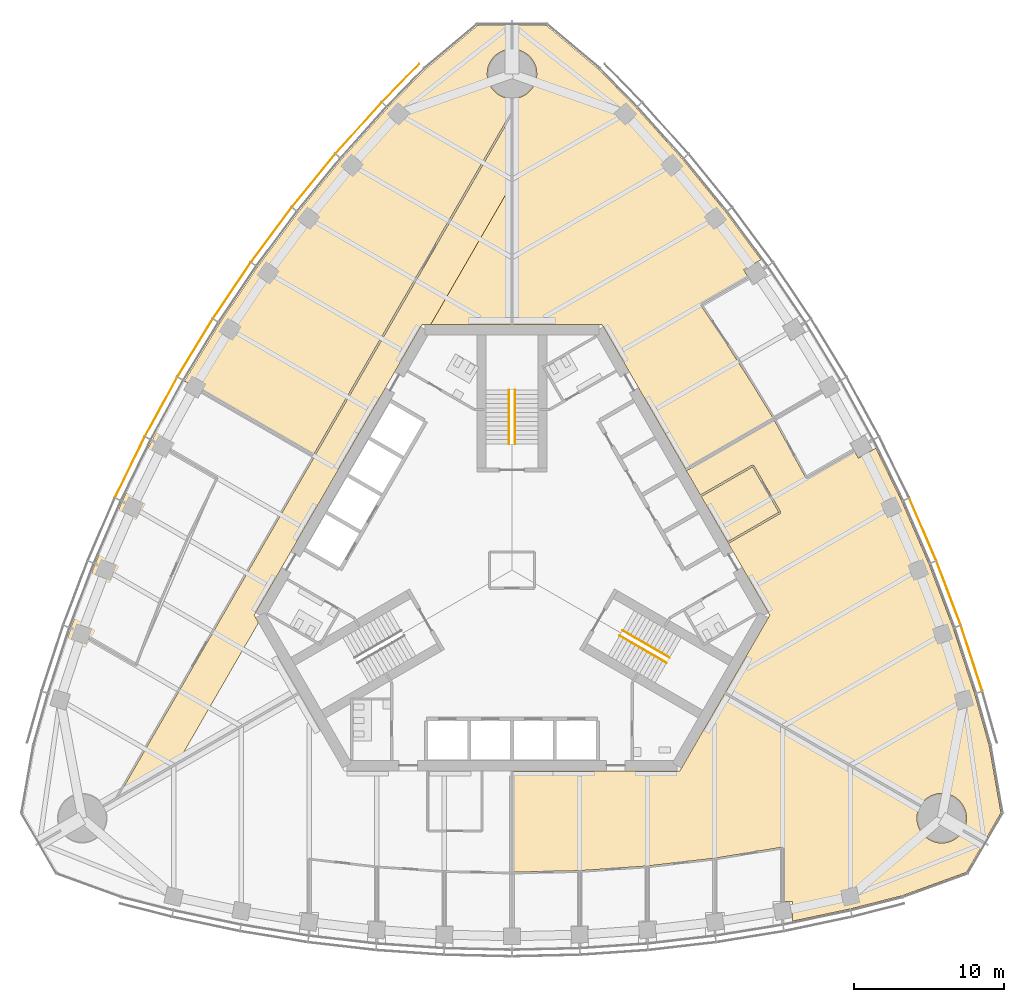
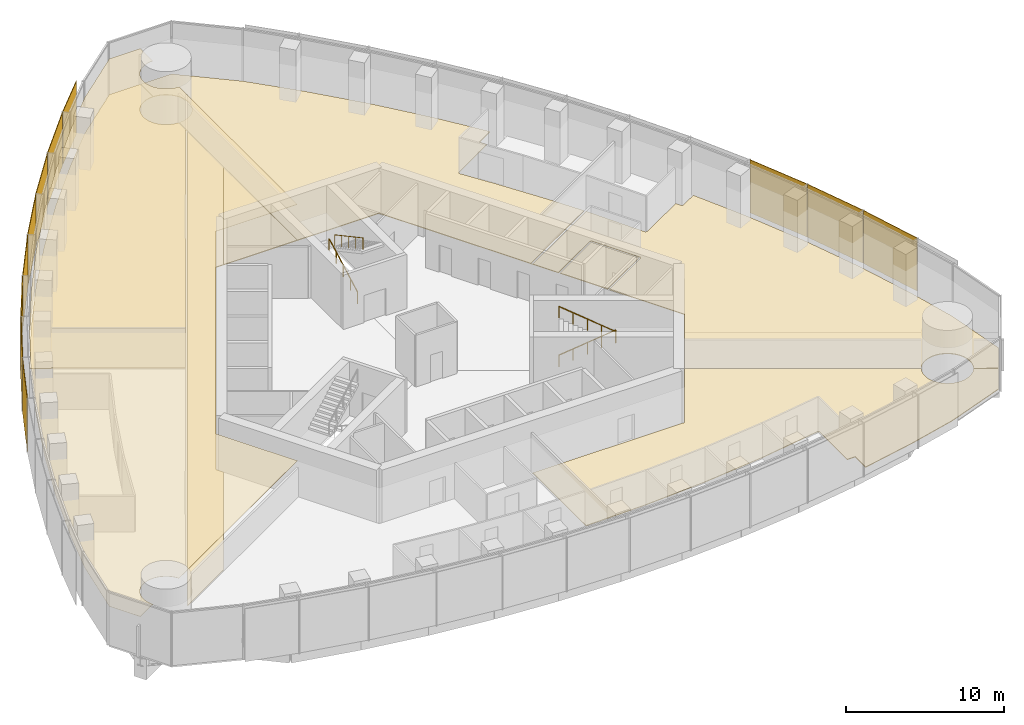
# One storey, part 16 of 19: 11 shading devices, 8 coverings, 4 railings.
"""IFC4 building model written with IfcOpenShell, lengths in metres."""

from ifc_helpers import new_model, si_unit, direction, frame, origin, origin_2d, place, context, subcontext, project, spatial, polyline, rectangle, circle, outline, extrude, material, layer, layer_set, type_object, element, save


model = new_model("IFC4")

# Units and contexts
model_context = context("Model", 3, precision=1e-05, world=origin(), true_north=direction((0.0, 1.0)))
body_context = subcontext(model_context, "Body", "Model", "MODEL_VIEW")
ifc_project = project(units=[si_unit("LENGTHUNIT", "METRE"), si_unit("AREAUNIT", "SQUARE_METRE"), si_unit("VOLUMEUNIT", "CUBIC_METRE"), si_unit("PLANEANGLEUNIT", "RADIAN"), si_unit("MASSUNIT", "GRAM", prefix="KILO")], contexts=[model_context])

# Site, building, storey
site_placement = place(None, origin())
site = spatial("IfcSite", under=ifc_project, at=site_placement, CompositionType="ELEMENT")
building_placement = place(site_placement, origin())
building = spatial("IfcBuilding", under=site, at=building_placement, Name="Trefoil Bronze Tower", CompositionType="ELEMENT")
storey_placement = place(building_placement, frame((0.0, 0.0, 223.300048828125)))
storey = spatial("IfcBuildingStorey", under=building, at=storey_placement, Name="L51", CompositionType="ELEMENT", Elevation=223.300048828125)

# Shading devices
ifc_material_1 = material(Name="Perforated bronze sheet", Category="bronze")
ifc_layer_1 = layer(ifc_material_1, 0.0400390625)
ifc_layer_set_1 = layer_set([ifc_layer_1], Name="Bronze solar screen panel")
shading_device_type = type_object("IfcShadingDeviceType", Name="Bronze solar screen panel", PredefinedType="SHUTTER", material=ifc_layer_set_1)
shading_device_1_placement = place(storey_placement, frame((30.5634765625, -5.86572265625, 0.0498046875), z_axis=(0.0, 0.0, 1.0), x_axis=(-0.310148591821, 0.950688093431, 0.0)))
element("IfcShadingDevice", 1, at=shading_device_1_placement, inside=storey, type_object=shading_device_type, Name="Solar screen CW-A L51 F2 bay 2", PredefinedType="SHUTTER", context=body_context, shape_type="SweptSolid", body=[
    extrude(rectangle(XDim=4.5693359375, YDim=0.0400390625, at=origin_2d()), origin(), (0.0, 0.0, 1.0), 4.10009765625),
])
shading_device_2_placement = place(storey_placement, frame((29.0341796875, -1.52392578125, 0.0498046875), z_axis=(0.0, 0.0, 1.0), x_axis=(-0.354233936517, 0.935156841508, 0.0)))
element("IfcShadingDevice", 2, at=shading_device_2_placement, inside=storey, type_object=shading_device_type, Name="Solar screen CW-A L51 F2 bay 3", PredefinedType="SHUTTER", context=body_context, shape_type="SweptSolid", body=[
    extrude(rectangle(XDim=4.529296875, YDim=0.0400390625, at=origin_2d()), origin(), (0.0, 0.0, 1.0), 4.10009765625),
])
shading_device_3_placement = place(storey_placement, frame((27.317626953125, 2.709716796875, 0.0498046875), z_axis=(0.0, 0.0, 1.0), x_axis=(-0.397220305764, 0.917723285467, 0.0)))
element("IfcShadingDevice", 3, at=shading_device_3_placement, inside=storey, type_object=shading_device_type, Name="Solar screen CW-A L51 F2 bay 4", PredefinedType="SHUTTER", context=body_context, shape_type="SweptSolid", body=[
    extrude(rectangle(XDim=4.5, YDim=0.0400390625, at=origin_2d()), origin(), (0.0, 0.0, 1.0), 4.10009765625),
])
shading_device_4_placement = place(storey_placement, frame((-7.40478515625, 32.40380859375, 0.0498046875), z_axis=(0.0, 0.0, 1.0), x_axis=(-0.698651812425, -0.715461840349, 0.0)))
element("IfcShadingDevice", 4, at=shading_device_4_placement, inside=storey, type_object=shading_device_type, Name="Solar screen CW-A L51 F3 bay 1", PredefinedType="SHUTTER", context=body_context, shape_type="SweptSolid", body=[
    extrude(rectangle(XDim=3.53369140625, YDim=0.0400390625, at=origin_2d()), origin(), (0.0, 0.0, 1.0), 4.10009765625),
])
shading_device_5_placement = place(storey_placement, frame((-10.20166015625, 29.401611328125, 0.0498046875), z_axis=(0.0, 0.0, 1.0), x_axis=(-0.668245744076, -0.743940606181, 0.0)))
element("IfcShadingDevice", 5, at=shading_device_5_placement, inside=storey, type_object=shading_device_type, Name="Solar screen CW-A L51 F3 bay 2", PredefinedType="SHUTTER", context=body_context, shape_type="SweptSolid", body=[
    extrude(rectangle(XDim=4.5693359375, YDim=0.0400390625, at=origin_2d()), origin(), (0.0, 0.0, 1.0), 4.10009765625),
])
shading_device_6_placement = place(storey_placement, frame((-13.197509765625, 25.90625, 0.0498046875), z_axis=(0.0, 0.0, 1.0), x_axis=(-0.63275261301, -0.774354008661, 0.0)))
element("IfcShadingDevice", 6, at=shading_device_6_placement, inside=storey, type_object=shading_device_type, Name="Solar screen CW-A L51 F3 bay 3", PredefinedType="SHUTTER", context=body_context, shape_type="SweptSolid", body=[
    extrude(rectangle(XDim=4.529296875, YDim=0.0400390625, at=origin_2d()), origin(), (0.0, 0.0, 1.0), 4.10009765625),
])
shading_device_7_placement = place(storey_placement, frame((-16.005615234375, 22.302734375, 0.0498046875), z_axis=(0.0, 0.0, 1.0), x_axis=(-0.596161525977, -0.802864518425, 0.0)))
element("IfcShadingDevice", 7, at=shading_device_7_placement, inside=storey, type_object=shading_device_type, Name="Solar screen CW-A L51 F3 bay 4", PredefinedType="SHUTTER", context=body_context, shape_type="SweptSolid", body=[
    extrude(rectangle(XDim=4.5, YDim=0.0400390625, at=origin_2d()), origin(), (0.0, 0.0, 1.0), 4.10009765625),
])
shading_device_8_placement = place(storey_placement, frame((-18.6298828125, 18.59326171875, 0.0498046875), z_axis=(0.0, 0.0, 1.0), x_axis=(-0.558493494706, -0.829508900718, 0.0)))
element("IfcShadingDevice", 8, at=shading_device_8_placement, inside=storey, type_object=shading_device_type, Name="Solar screen CW-A L51 F3 bay 5", PredefinedType="SHUTTER", context=body_context, shape_type="SweptSolid", body=[
    extrude(rectangle(XDim=4.480712890625, YDim=0.0400390625, at=origin_2d()), origin(), (0.0, 0.0, 1.0), 4.10009765625),
])
for number, where, z_axis, x_axis, name in (
    (9, (-21.07275390625, 14.77880859375, 0.0498046875), (0.0, 0.0, 1.0), (-0.519762112739, -0.854311035959, 0.0), "Solar screen CW-A L51 F3 bay 6"),
    (10, (-23.3349609375, 10.860107421875, 0.0498046875), (0.0, 0.0, 1.0), (-0.479974003504, -0.877282711536, 0.0), "Solar screen CW-A L51 F3 bay 7"),
):
    element("IfcShadingDevice", number, at=place(storey_placement, frame(where, z_axis=z_axis, x_axis=x_axis)), inside=storey, type_object=shading_device_type, Name=name, PredefinedType="SHUTTER", context=body_context, shape_type="SweptSolid", body=[
        extrude(rectangle(XDim=4.47119140625, YDim=0.0400390625, at=origin_2d()), origin(), (0.0, 0.0, 1.0), 4.10009765625),
    ])
shading_device_9_placement = place(storey_placement, frame((-25.4169921875, 6.83740234375, 0.0498046875), z_axis=(0.0, 0.0, 1.0), x_axis=(-0.439129033334, -0.898424004623, 0.0)))
element("IfcShadingDevice", 11, at=shading_device_9_placement, inside=storey, type_object=shading_device_type, Name="Solar screen CW-A L51 F3 bay 8", PredefinedType="SHUTTER", context=body_context, shape_type="SweptSolid", body=[
    extrude(rectangle(XDim=4.480712890625, YDim=0.0400390625, at=origin_2d()), origin(), (0.0, 0.0, 1.0), 4.10009765625),
])

# Railings
ifc_material_2 = material(Name="Steel handrail", Category="steel")
railing_type = type_object("IfcRailingType", Name="Handrail 900", PredefinedType="HANDRAIL", material=ifc_material_2)
railing_1_placement = place(storey_placement, frame((7.365966796875, -4.021728515625, 0.161376953125)))
element("IfcRailing", 12, at=railing_1_placement, inside=storey, type_object=railing_type, Name="Handrail ST1 flight 1 L51", PredefinedType="HANDRAIL", context=body_context, shape_type="SweptSolid", body=[
    extrude(circle(Radius=0.02392578125, at=origin_2d()), frame((0.0, 0.0, 0.8759765625), z_axis=(0.76250339821, -0.440245697338, 0.474101564745), x_axis=(0.500012057535, 0.866018442252, 0.0)), (0.0, 0.0, 1.0), 4.088623046875),
    extrude(circle(Radius=0.02099609375, at=origin_2d()), origin(), (0.0, 0.0, 1.0), 0.851806640625),
    extrude(circle(Radius=0.02099609375, at=origin_2d()), frame((0.779296875, -0.449951171875, 0.484619140625)), (0.0, 0.0, 1.0), 0.851806640625),
    extrude(circle(Radius=0.02099609375, at=origin_2d()), frame((1.558837890625, -0.89990234375, 0.96923828125)), (0.0, 0.0, 1.0), 0.851806640625),
    extrude(circle(Radius=0.02099609375, at=origin_2d()), frame((2.33837890625, -1.35009765625, 1.453857421875)), (0.0, 0.0, 1.0), 0.851806640625),
    extrude(circle(Radius=0.02099609375, at=origin_2d()), frame((3.11767578125, -1.800048828125, 1.9384765625)), (0.0, 0.0, 1.0), 0.851806640625),
])
railing_2_placement = place(storey_placement, frame((10.28369140625, -6.168212890625, 2.261474609375)))
element("IfcRailing", 13, at=railing_2_placement, inside=storey, type_object=railing_type, Name="Handrail ST1 flight 2 L51", PredefinedType="HANDRAIL", context=body_context, shape_type="SweptSolid", body=[
    extrude(circle(Radius=0.02392578125, at=origin_2d()), frame((0.0, 0.0, 0.8759765625), z_axis=(-0.76250339821, 0.440245697338, 0.474101564745), x_axis=(-0.500012057535, -0.866018442252, 0.0)), (0.0, 0.0, 1.0), 4.088623046875),
    extrude(circle(Radius=0.02099609375, at=origin_2d()), origin(), (0.0, 0.0, 1.0), 0.851806640625),
    extrude(circle(Radius=0.02099609375, at=origin_2d()), frame((-0.779296875, 0.449951171875, 0.484619140625)), (0.0, 0.0, 1.0), 0.851806640625),
    extrude(circle(Radius=0.02099609375, at=origin_2d()), frame((-1.558837890625, 0.89990234375, 0.96923828125)), (0.0, 0.0, 1.0), 0.851806640625),
    extrude(circle(Radius=0.02099609375, at=origin_2d()), frame((-2.33837890625, 1.35009765625, 1.453857421875)), (0.0, 0.0, 1.0), 0.851806640625),
    extrude(circle(Radius=0.02099609375, at=origin_2d()), frame((-3.11767578125, 1.800048828125, 1.9384765625)), (0.0, 0.0, 1.0), 0.851806640625),
])
railing_3_placement = place(storey_placement, frame((-0.199951171875, 8.389892578125, 0.161376953125)))
element("IfcRailing", 14, at=railing_3_placement, inside=storey, type_object=railing_type, Name="Handrail ST2 flight 1 L51", PredefinedType="HANDRAIL", context=body_context, shape_type="SweptSolid", body=[
    extrude(circle(Radius=0.02392578125, at=origin_2d()), frame((0.0, 0.0, 0.8759765625), z_axis=(0.0, 0.880474934443, 0.474092701714), x_axis=(-1.0, 0.0, 0.0)), (0.0, 0.0, 1.0), 4.0888671875),
    extrude(circle(Radius=0.02099609375, at=origin_2d()), origin(), (0.0, 0.0, 1.0), 0.851806640625),
    extrude(circle(Radius=0.02099609375, at=origin_2d()), frame((0.0, 0.89990234375, 0.484619140625)), (0.0, 0.0, 1.0), 0.851806640625),
    extrude(circle(Radius=0.02099609375, at=origin_2d()), frame((0.0, 1.800048828125, 0.96923828125)), (0.0, 0.0, 1.0), 0.851806640625),
    extrude(circle(Radius=0.02099609375, at=origin_2d()), frame((0.0, 2.7001953125, 1.453857421875)), (0.0, 0.0, 1.0), 0.851806640625),
    extrude(circle(Radius=0.02099609375, at=origin_2d()), frame((0.0, 3.60009765625, 1.9384765625)), (0.0, 0.0, 1.0), 0.851806640625),
])
railing_4_placement = place(storey_placement, frame((0.199951171875, 11.989990234375, 2.261474609375)))
element("IfcRailing", 15, at=railing_4_placement, inside=storey, type_object=railing_type, Name="Handrail ST2 flight 2 L51", PredefinedType="HANDRAIL", context=body_context, shape_type="SweptSolid", body=[
    extrude(circle(Radius=0.02392578125, at=origin_2d()), frame((0.0, 0.0, 0.8759765625), z_axis=(0.0, -0.880474934443, 0.474092701714), x_axis=(1.0, 0.0, 0.0)), (0.0, 0.0, 1.0), 4.0888671875),
    extrude(circle(Radius=0.02099609375, at=origin_2d()), origin(), (0.0, 0.0, 1.0), 0.851806640625),
    extrude(circle(Radius=0.02099609375, at=origin_2d()), frame((0.0, -0.89990234375, 0.484619140625)), (0.0, 0.0, 1.0), 0.851806640625),
    extrude(circle(Radius=0.02099609375, at=origin_2d()), frame((0.0, -1.800048828125, 0.96923828125)), (0.0, 0.0, 1.0), 0.851806640625),
    extrude(circle(Radius=0.02099609375, at=origin_2d()), frame((0.0, -2.7001953125, 1.453857421875)), (0.0, 0.0, 1.0), 0.851806640625),
    extrude(circle(Radius=0.02099609375, at=origin_2d()), frame((0.0, -3.60009765625, 1.9384765625)), (0.0, 0.0, 1.0), 0.851806640625),
])

# Coverings
ifc_material_3 = material(Name="Acoustic ceiling panels", Category="mineral fibre")
ifc_layer_2 = layer(ifc_material_3, 0.02001953125)
ifc_layer_set_2 = layer_set([ifc_layer_2], Name="Office ceiling 20")
covering_type_1 = type_object("IfcCoveringType", Name="Office ceiling 20", PredefinedType="CEILING", material=ifc_layer_set_2)
covering_1_placement = place(storey_placement, frame((0.0, 0.0, 2.89990234375)))
element("IfcCovering", 16, at=covering_1_placement, inside=storey, type_object=covering_type_1, Name="Ceiling L51 Open-plan office F3", PredefinedType="CEILING", context=body_context, shape_type="SweptSolid", body=[
    extrude(outline(polyline([(-30.76318359375, -8.219482421875), (-29.3369140625, -3.846923828125), (-27.7216796875, 0.416748046875), (-25.92236328125, 4.573974609375), (-23.94140625, 8.62646484375), (-21.781005859375, 12.5751953125), (-19.44140625, 16.420654296875), (-16.92236328125, 20.162353515625), (-14.2216796875, 23.79931640625), (-11.3369140625, 27.329833984375), (-8.26318359375, 30.751708984375), (-5.7734375, 33.30126953125), (-2.280029296875, 36.232666015625), (-0.013671875, 36.232666015625), (-0.012939453125, 34.649658203125), (-0.0810546875, 34.64794921875), (-0.16162109375, 34.64208984375), (-0.2421875, 34.632080078125), (-0.322021484375, 34.618408203125), (-0.40087890625, 34.6005859375), (-0.47900390625, 34.5791015625), (-0.555908203125, 34.553466796875), (-0.63134765625, 34.5244140625), (-0.70556640625, 34.49169921875), (-0.77783203125, 34.455078125), (-0.848388671875, 34.415283203125), (-0.916748046875, 34.371826171875), (-0.98291015625, 34.3251953125), (-1.046630859375, 34.275390625), (-1.108154296875, 34.22265625), (-1.166748046875, 34.166748046875), (-1.22265625, 34.108154296875), (-1.275390625, 34.046630859375), (-1.3251953125, 33.98291015625), (-1.371826171875, 33.916748046875), (-1.415283203125, 33.848388671875), (-1.455078125, 33.77783203125), (-1.49169921875, 33.70556640625), (-1.5244140625, 33.63134765625), (-1.553466796875, 33.555908203125), (-1.5791015625, 33.47900390625), (-1.6005859375, 33.40087890625), (-1.618408203125, 33.322021484375), (-1.632080078125, 33.2421875), (-1.64208984375, 33.16162109375), (-1.64794921875, 33.0810546875), (-1.64990234375, 33.0), (-1.64794921875, 32.9189453125), (-1.64208984375, 32.83837890625), (-1.632080078125, 32.7578125), (-1.618408203125, 32.677978515625), (-1.6005859375, 32.59912109375), (-1.5791015625, 32.52099609375), (-1.553466796875, 32.444091796875), (-1.5244140625, 32.36865234375), (-1.49169921875, 32.29443359375), (-1.455078125, 32.22216796875), (-1.415283203125, 32.151611328125), (-1.371826171875, 32.083251953125), (-1.3251953125, 32.01708984375), (-1.275390625, 31.953369140625), (-1.22265625, 31.891845703125), (-1.166748046875, 31.833251953125), (-1.108154296875, 31.77734375), (-1.046630859375, 31.724609375), (-0.98291015625, 31.6748046875), (-0.916748046875, 31.628173828125), (-0.848388671875, 31.584716796875), (-0.77783203125, 31.544921875), (-0.70556640625, 31.50830078125), (-0.63134765625, 31.4755859375), (-0.555908203125, 31.446533203125), (-0.47900390625, 31.4208984375), (-0.40087890625, 31.3994140625), (-0.322021484375, 31.381591796875), (-0.2421875, 31.367919921875), (-0.16162109375, 31.35791015625), (-0.0810546875, 31.35205078125), (-0.01171875, 31.350341796875), (-0.006103515625, 16.35009765625), (-5.9755859375, 16.35009765625), (-17.147216796875, -3.0), (-14.16259765625, -8.169677734375), (-27.156005859375, -15.6650390625), (-27.206787109375, -15.583251953125), (-27.25341796875, -15.51708984375), (-27.303466796875, -15.453369140625), (-27.356201171875, -15.391845703125), (-27.412109375, -15.333251953125), (-27.470703125, -15.27734375), (-27.531982421875, -15.224609375), (-27.595947265625, -15.1748046875), (-27.662109375, -15.128173828125), (-27.730712890625, -15.084716796875), (-27.801025390625, -15.044921875), (-27.873291015625, -15.00830078125), (-27.947509765625, -14.9755859375), (-28.02294921875, -14.946533203125), (-28.099853515625, -14.9208984375), (-28.177978515625, -14.8994140625), (-28.2568359375, -14.881591796875), (-28.336669921875, -14.867919921875), (-28.4169921875, -14.85791015625), (-28.497802734375, -14.85205078125), (-28.578857421875, -14.85009765625), (-28.659912109375, -14.85205078125), (-28.740478515625, -14.85791015625), (-28.82080078125, -14.867919921875), (-28.900634765625, -14.881591796875), (-28.979736328125, -14.8994140625), (-29.057861328125, -14.9208984375), (-29.134765625, -14.946533203125), (-29.210205078125, -14.9755859375), (-29.2841796875, -15.00830078125), (-29.356689453125, -15.044921875), (-29.427001953125, -15.084716796875), (-29.49560546875, -15.128173828125), (-29.561767578125, -15.1748046875), (-29.62548828125, -15.224609375), (-29.68701171875, -15.27734375), (-29.74560546875, -15.333251953125), (-29.801513671875, -15.391845703125), (-29.854248046875, -15.453369140625), (-29.904052734375, -15.51708984375), (-29.95068359375, -15.583251953125), (-29.994140625, -15.651611328125), (-30.033935546875, -15.72216796875), (-30.0703125, -15.79443359375), (-30.103271484375, -15.86865234375), (-30.13232421875, -15.944091796875), (-30.15771484375, -16.02099609375), (-30.179443359375, -16.09912109375), (-30.197021484375, -16.177978515625), (-30.2109375, -16.2578125), (-30.220947265625, -16.33837890625), (-30.226806640625, -16.4189453125), (-30.228759765625, -16.5), (-30.226806640625, -16.5810546875), (-30.220947265625, -16.66162109375), (-30.2109375, -16.7421875), (-30.197021484375, -16.822021484375), (-30.179443359375, -16.90087890625), (-30.15771484375, -16.97900390625), (-30.13232421875, -17.055908203125), (-30.103271484375, -17.13134765625), (-30.0703125, -17.20556640625), (-30.033935546875, -17.27783203125), (-30.013916015625, -17.3134765625), (-31.385009765625, -18.1044921875), (-32.518310546875, -16.1416015625), (-31.7265625, -11.650634765625), (-30.76318359375, -8.219482421875)])), origin(), (0.0, 0.0, 1.0), 0.02001953125),
])
ifc_material_4 = material(Name="Raised access floor panels", Category="steel")
ifc_layer_3 = layer(ifc_material_4, 0.050048828125)
ifc_layer_set_3 = layer_set([ifc_layer_3], Name="Raised access floor 150")
covering_type_2 = type_object("IfcCoveringType", Name="Raised access floor 150", PredefinedType="FLOORING", material=ifc_layer_set_3)
covering_2_placement = place(storey_placement, frame((0.0, 0.0, 0.099853515625)))
element("IfcCovering", 17, at=covering_2_placement, inside=storey, type_object=covering_type_2, Name="Raised floor L51 Open-plan office F1", PredefinedType="FLOORING", context=body_context, shape_type="SweptSolid", body=[
    extrude(outline(polyline([(18.06005859375, -18.48291015625), (18.0, -18.48291015625), (17.990478515625, -18.423583984375), (13.49169921875, -19.156494140625), (8.994384765625, -19.676513671875), (4.497314453125, -19.9873046875), (0.074951171875, -20.0888671875), (0.074951171875, -13.360107421875), (0.0009765625, -13.360107421875), (0.0009765625, -13.35009765625), (11.171630859375, -13.35009765625), (14.156494140625, -8.180419921875), (27.14453125, -15.685546875), (27.123779296875, -15.72216796875), (27.08740234375, -15.79443359375), (27.054443359375, -15.86865234375), (27.025390625, -15.944091796875), (27.0, -16.02099609375), (26.978271484375, -16.09912109375), (26.96044921875, -16.177978515625), (26.94677734375, -16.2578125), (26.936767578125, -16.33837890625), (26.930908203125, -16.4189453125), (26.9287109375, -16.5), (26.930908203125, -16.5810546875), (26.936767578125, -16.66162109375), (26.94677734375, -16.7421875), (26.96044921875, -16.822021484375), (26.978271484375, -16.90087890625), (27.0, -16.97900390625), (27.025390625, -17.055908203125), (27.054443359375, -17.13134765625), (27.08740234375, -17.20556640625), (27.123779296875, -17.27783203125), (27.16357421875, -17.348388671875), (27.206787109375, -17.416748046875), (27.25341796875, -17.48291015625), (27.303466796875, -17.546630859375), (27.356201171875, -17.608154296875), (27.412109375, -17.666748046875), (27.470703125, -17.72265625), (27.531982421875, -17.775390625), (27.595947265625, -17.8251953125), (27.662109375, -17.871826171875), (27.730712890625, -17.915283203125), (27.801025390625, -17.955078125), (27.873291015625, -17.99169921875), (27.947509765625, -18.0244140625), (28.02294921875, -18.053466796875), (28.099853515625, -18.0791015625), (28.177978515625, -18.1005859375), (28.2568359375, -18.118408203125), (28.336669921875, -18.132080078125), (28.4169921875, -18.14208984375), (28.497802734375, -18.14794921875), (28.578857421875, -18.14990234375), (28.659912109375, -18.14794921875), (28.740478515625, -18.14208984375), (28.82080078125, -18.132080078125), (28.900634765625, -18.118408203125), (28.979736328125, -18.1005859375), (29.057861328125, -18.0791015625), (29.134765625, -18.053466796875), (29.210205078125, -18.0244140625), (29.2841796875, -17.99169921875), (29.356689453125, -17.955078125), (29.427001953125, -17.915283203125), (29.49560546875, -17.871826171875), (29.561767578125, -17.8251953125), (29.62548828125, -17.775390625), (29.68701171875, -17.72265625), (29.74560546875, -17.666748046875), (29.801513671875, -17.608154296875), (29.854248046875, -17.546630859375), (29.904052734375, -17.48291015625), (29.95068359375, -17.416748046875), (30.0009765625, -17.336181640625), (31.37158203125, -18.1279296875), (30.23828125, -20.0908203125), (25.952880859375, -21.650634765625), (22.5, -22.531982421875), (18.642822265625, -23.34716796875), (18.642822265625, -22.026123046875), (18.06005859375, -22.026123046875), (18.06005859375, -18.48291015625)])), origin(), (0.0, 0.0, 1.0), 0.050048828125),
])
covering_3_placement = place(storey_placement, frame((0.0, 0.0, 0.099853515625)))
element("IfcCovering", 18, at=covering_3_placement, inside=storey, type_object=covering_type_2, Name="Raised floor L51 Meeting room F2", PredefinedType="FLOORING", context=body_context, shape_type="SweptSolid", body=[
    extrude(outline(polyline([(12.59130859375, 4.89111328125), (16.003662109375, 6.861083984375), (17.74365234375, 3.84716796875), (14.331298828125, 1.877197265625), (12.59130859375, 4.89111328125)])), origin(), (0.0, 0.0, 1.0), 0.050048828125),
])
covering_4_placement = place(storey_placement, frame((0.0, 0.0, 0.099853515625)))
element("IfcCovering", 19, at=covering_4_placement, inside=storey, type_object=covering_type_2, Name="Raised floor L51 Open-plan office F2", PredefinedType="FLOORING", context=body_context, shape_type="SweptSolid", body=[
    extrude(outline(polyline([(14.391357421875, 1.773193359375), (17.85546875, 3.773193359375), (17.825439453125, 3.8251953125), (17.87744140625, 3.855224609375), (16.077392578125, 6.972900390625), (16.025390625, 6.94287109375), (15.99560546875, 6.994873046875), (12.531494140625, 4.994873046875), (11.56201171875, 6.674072265625), (11.570556640625, 6.67919921875), (11.607666015625, 6.614990234375), (17.43505859375, 9.9794921875), (19.558837890625, 6.09765625), (19.611328125, 6.12646484375), (19.641357421875, 6.074462890625), (22.775146484375, 7.8837890625), (22.7451171875, 7.935791015625), (22.74951171875, 7.938232421875), (23.037353515625, 7.439697265625), (24.195068359375, 8.10791015625), (25.92236328125, 4.573974609375), (27.7216796875, 0.416748046875), (29.3369140625, -3.846923828125), (30.76318359375, -8.219482421875), (31.7265625, -11.650634765625), (32.518310546875, -16.1416015625), (31.385009765625, -18.1044921875), (30.013916015625, -17.3134765625), (30.033935546875, -17.27783203125), (30.0703125, -17.20556640625), (30.103271484375, -17.13134765625), (30.13232421875, -17.055908203125), (30.15771484375, -16.97900390625), (30.179443359375, -16.90087890625), (30.197021484375, -16.822021484375), (30.2109375, -16.7421875), (30.220947265625, -16.66162109375), (30.226806640625, -16.5810546875), (30.228759765625, -16.5), (30.226806640625, -16.4189453125), (30.220947265625, -16.33837890625), (30.2109375, -16.2578125), (30.197021484375, -16.177978515625), (30.179443359375, -16.09912109375), (30.15771484375, -16.02099609375), (30.13232421875, -15.944091796875), (30.103271484375, -15.86865234375), (30.0703125, -15.79443359375), (30.033935546875, -15.72216796875), (29.994140625, -15.651611328125), (29.95068359375, -15.583251953125), (29.904052734375, -15.51708984375), (29.854248046875, -15.453369140625), (29.801513671875, -15.391845703125), (29.74560546875, -15.333251953125), (29.68701171875, -15.27734375), (29.62548828125, -15.224609375), (29.561767578125, -15.1748046875), (29.49560546875, -15.128173828125), (29.427001953125, -15.084716796875), (29.356689453125, -15.044921875), (29.2841796875, -15.00830078125), (29.210205078125, -14.9755859375), (29.134765625, -14.946533203125), (29.057861328125, -14.9208984375), (28.979736328125, -14.8994140625), (28.900634765625, -14.881591796875), (28.82080078125, -14.867919921875), (28.740478515625, -14.85791015625), (28.659912109375, -14.85205078125), (28.578857421875, -14.85009765625), (28.497802734375, -14.85205078125), (28.4169921875, -14.85791015625), (28.336669921875, -14.867919921875), (28.2568359375, -14.881591796875), (28.177978515625, -14.8994140625), (28.099853515625, -14.9208984375), (28.02294921875, -14.946533203125), (27.947509765625, -14.9755859375), (27.873291015625, -15.00830078125), (27.801025390625, -15.044921875), (27.730712890625, -15.084716796875), (27.662109375, -15.128173828125), (27.595947265625, -15.1748046875), (27.531982421875, -15.224609375), (27.470703125, -15.27734375), (27.412109375, -15.333251953125), (27.356201171875, -15.391845703125), (27.303466796875, -15.453369140625), (27.25341796875, -15.51708984375), (27.206787109375, -15.583251953125), (27.156005859375, -15.6650390625), (14.16259765625, -8.169677734375), (17.147216796875, -3.0), (14.391357421875, 1.773193359375)])), origin(), (0.0, 0.0, 1.0), 0.050048828125),
])
covering_5_placement = place(storey_placement, frame((0.0, 0.0, 0.099853515625)))
element("IfcCovering", 20, at=covering_5_placement, inside=storey, type_object=covering_type_2, Name="Raised floor L51 Open-plan office F2", PredefinedType="FLOORING", context=body_context, shape_type="SweptSolid", body=[
    extrude(outline(polyline([(8.26318359375, 30.751708984375), (11.3369140625, 27.329833984375), (14.2216796875, 23.79931640625), (16.562744140625, 20.646728515625), (15.407958984375, 19.97998046875), (15.677490234375, 19.512939453125), (12.562255859375, 17.71435546875), (12.59228515625, 17.662353515625), (12.54248046875, 17.62890625), (14.000732421875, 15.462890625), (16.04541015625, 12.270263671875), (17.360107421875, 10.109375), (11.53271484375, 6.7451171875), (11.569580078125, 6.680908203125), (11.560791015625, 6.67578125), (5.9755859375, 16.35009765625), (0.006103515625, 16.35009765625), (0.01171875, 31.350341796875), (0.0810546875, 31.35205078125), (0.16162109375, 31.35791015625), (0.2421875, 31.367919921875), (0.322021484375, 31.381591796875), (0.40087890625, 31.3994140625), (0.47900390625, 31.4208984375), (0.555908203125, 31.446533203125), (0.63134765625, 31.4755859375), (0.70556640625, 31.50830078125), (0.77783203125, 31.544921875), (0.848388671875, 31.584716796875), (0.916748046875, 31.628173828125), (0.98291015625, 31.6748046875), (1.046630859375, 31.724609375), (1.108154296875, 31.77734375), (1.166748046875, 31.833251953125), (1.22265625, 31.891845703125), (1.275390625, 31.953369140625), (1.3251953125, 32.01708984375), (1.371826171875, 32.083251953125), (1.415283203125, 32.151611328125), (1.455078125, 32.22216796875), (1.49169921875, 32.29443359375), (1.5244140625, 32.36865234375), (1.553466796875, 32.444091796875), (1.5791015625, 32.52099609375), (1.6005859375, 32.59912109375), (1.618408203125, 32.677978515625), (1.632080078125, 32.7578125), (1.64208984375, 32.83837890625), (1.64794921875, 32.9189453125), (1.64990234375, 33.0), (1.64794921875, 33.0810546875), (1.64208984375, 33.16162109375), (1.632080078125, 33.2421875), (1.618408203125, 33.322021484375), (1.6005859375, 33.40087890625), (1.5791015625, 33.47900390625), (1.553466796875, 33.555908203125), (1.5244140625, 33.63134765625), (1.49169921875, 33.70556640625), (1.455078125, 33.77783203125), (1.415283203125, 33.848388671875), (1.371826171875, 33.916748046875), (1.3251953125, 33.98291015625), (1.275390625, 34.046630859375), (1.22265625, 34.108154296875), (1.166748046875, 34.166748046875), (1.108154296875, 34.22265625), (1.046630859375, 34.275390625), (0.98291015625, 34.3251953125), (0.916748046875, 34.371826171875), (0.848388671875, 34.415283203125), (0.77783203125, 34.455078125), (0.70556640625, 34.49169921875), (0.63134765625, 34.5244140625), (0.555908203125, 34.553466796875), (0.47900390625, 34.5791015625), (0.40087890625, 34.6005859375), (0.322021484375, 34.618408203125), (0.2421875, 34.632080078125), (0.16162109375, 34.64208984375), (0.0810546875, 34.64794921875), (0.012939453125, 34.649658203125), (0.013671875, 36.232666015625), (2.280029296875, 36.232666015625), (5.7734375, 33.30126953125), (8.26318359375, 30.751708984375)])), origin(), (0.0, 0.0, 1.0), 0.050048828125),
])
covering_6_placement = place(storey_placement, frame((0.0, 0.0, 0.099853515625)))
element("IfcCovering", 21, at=covering_6_placement, inside=storey, type_object=covering_type_2, Name="Raised floor L51 Corridor F3", PredefinedType="FLOORING", context=body_context, shape_type="SweptSolid", body=[
    extrude(outline(polyline([(-26.229248046875, -15.13037109375), (-0.011474609375, 30.2802734375), (-0.009521484375, 25.683349609375), (-5.398193359375, 16.35009765625), (-5.9755859375, 16.35009765625), (-17.147216796875, -3.0), (-16.858642578125, -3.5), (-22.247314453125, -12.833251953125), (-26.229248046875, -15.13037109375)])), origin(), (0.0, 0.0, 1.0), 0.050048828125),
])
covering_7_placement = place(storey_placement, frame((0.0, 0.0, 0.099853515625)))
element("IfcCovering", 22, at=covering_7_placement, inside=storey, type_object=covering_type_2, Name="Raised floor L51 Open-plan office F3", PredefinedType="FLOORING", context=body_context, shape_type="SweptSolid", body=[
    extrude(outline(polyline([(-0.006103515625, 16.35009765625), (-5.398193359375, 16.35009765625), (-0.009521484375, 25.683349609375), (-0.006103515625, 16.35009765625)])), origin(), (0.0, 0.0, 1.0), 0.050048828125),
])
covering_8_placement = place(storey_placement, frame((0.0, 0.0, 0.099853515625)))
element("IfcCovering", 23, at=covering_8_placement, inside=storey, type_object=covering_type_2, Name="Raised floor L51 Open-plan office F3", PredefinedType="FLOORING", context=body_context, shape_type="SweptSolid", body=[
    extrude(outline(polyline([(-0.011474609375, 30.388671875), (-0.068359375, 30.421630859375), (-13.186767578125, 7.699951171875), (-20.548583984375, 11.9501953125), (-20.58544921875, 11.88623046875), (-21.780517578125, 12.576171875), (-19.44140625, 16.420654296875), (-16.92236328125, 20.162353515625), (-14.2216796875, 23.79931640625), (-11.3369140625, 27.329833984375), (-8.26318359375, 30.751708984375), (-5.7734375, 33.30126953125), (-2.280029296875, 36.232666015625), (-0.013671875, 36.232666015625), (-0.012939453125, 34.649658203125), (-0.0810546875, 34.64794921875), (-0.16162109375, 34.64208984375), (-0.2421875, 34.632080078125), (-0.322021484375, 34.618408203125), (-0.40087890625, 34.6005859375), (-0.47900390625, 34.5791015625), (-0.555908203125, 34.553466796875), (-0.63134765625, 34.5244140625), (-0.70556640625, 34.49169921875), (-0.77783203125, 34.455078125), (-0.848388671875, 34.415283203125), (-0.916748046875, 34.371826171875), (-0.98291015625, 34.3251953125), (-1.046630859375, 34.275390625), (-1.108154296875, 34.22265625), (-1.166748046875, 34.166748046875), (-1.22265625, 34.108154296875), (-1.275390625, 34.046630859375), (-1.3251953125, 33.98291015625), (-1.371826171875, 33.916748046875), (-1.415283203125, 33.848388671875), (-1.455078125, 33.77783203125), (-1.49169921875, 33.70556640625), (-1.5244140625, 33.63134765625), (-1.553466796875, 33.555908203125), (-1.5791015625, 33.47900390625), (-1.6005859375, 33.40087890625), (-1.618408203125, 33.322021484375), (-1.632080078125, 33.2421875), (-1.64208984375, 33.16162109375), (-1.64794921875, 33.0810546875), (-1.64990234375, 33.0), (-1.64794921875, 32.9189453125), (-1.64208984375, 32.83837890625), (-1.632080078125, 32.7578125), (-1.618408203125, 32.677978515625), (-1.6005859375, 32.59912109375), (-1.5791015625, 32.52099609375), (-1.553466796875, 32.444091796875), (-1.5244140625, 32.36865234375), (-1.49169921875, 32.29443359375), (-1.455078125, 32.22216796875), (-1.415283203125, 32.151611328125), (-1.371826171875, 32.083251953125), (-1.3251953125, 32.01708984375), (-1.275390625, 31.953369140625), (-1.22265625, 31.891845703125), (-1.166748046875, 31.833251953125), (-1.108154296875, 31.77734375), (-1.046630859375, 31.724609375), (-0.98291015625, 31.6748046875), (-0.916748046875, 31.628173828125), (-0.848388671875, 31.584716796875), (-0.77783203125, 31.544921875), (-0.70556640625, 31.50830078125), (-0.63134765625, 31.4755859375), (-0.555908203125, 31.446533203125), (-0.47900390625, 31.4208984375), (-0.40087890625, 31.3994140625), (-0.322021484375, 31.381591796875), (-0.2421875, 31.367919921875), (-0.16162109375, 31.35791015625), (-0.0810546875, 31.35205078125), (-0.01171875, 31.350341796875), (-0.011474609375, 30.388671875)])), origin(), (0.0, 0.0, 1.0), 0.050048828125),
])

save(model, "model.ifc")
